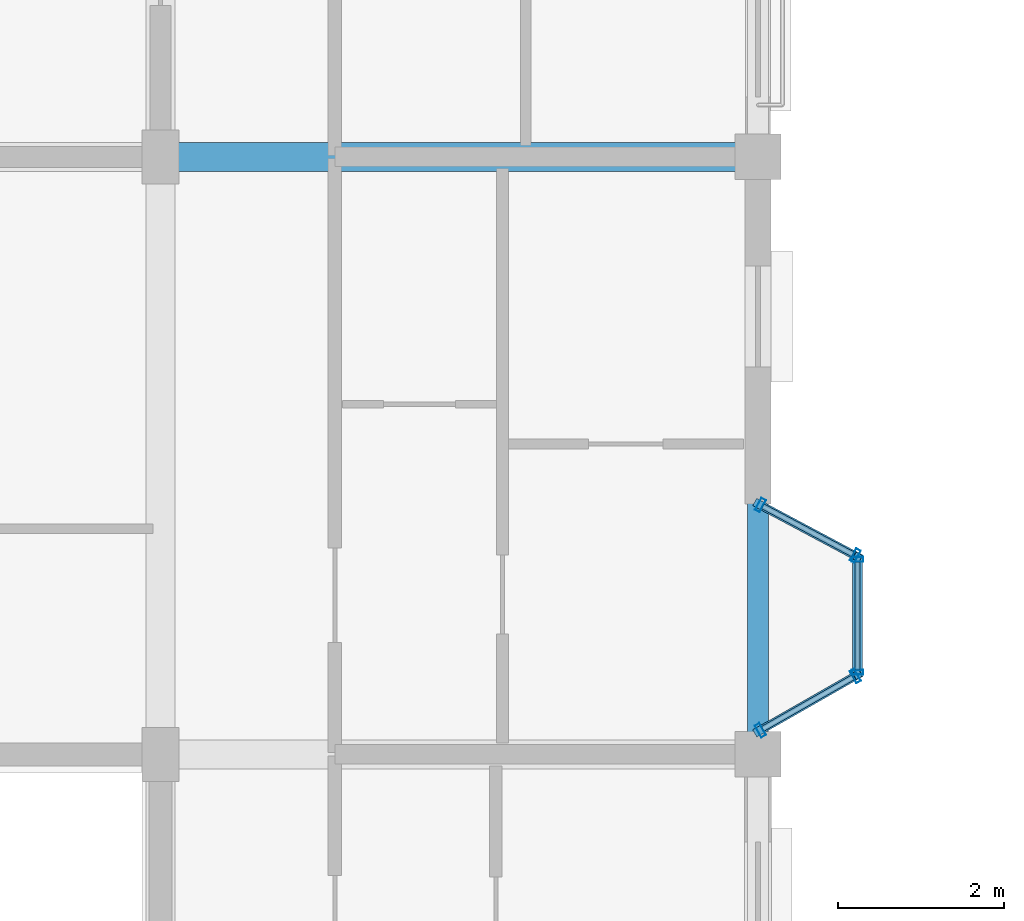
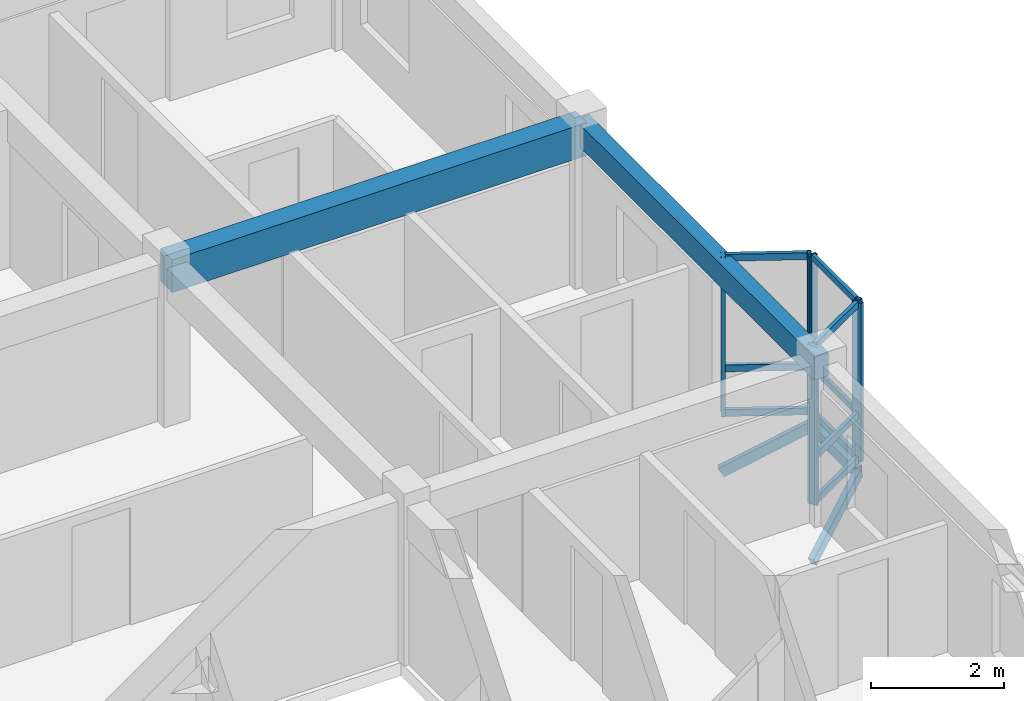
# One storey, part 19 of 75: 18 members, 2 beams, 3 elements without a shape of their own.
"""IFC4 building model written with IfcOpenShell, lengths in metres."""

from ifc_helpers import new_model, si_unit, direction, frame, origin, origin_2d, place, context, subcontext, project, spatial, rectangle, hollow_rectangle, extrude, material, layer, layer_set, material_profile, profile_set, type_object, element, aggregate, save


model = new_model("IFC4")

# Units and contexts
model_context = context("Model", 3, precision=1e-05, world=origin(), true_north=direction((0.0, 1.0)))
body_context = subcontext(model_context, "Body", "Model", "MODEL_VIEW")
ifc_project = project(units=[si_unit("LENGTHUNIT", "METRE"), si_unit("AREAUNIT", "SQUARE_METRE"), si_unit("VOLUMEUNIT", "CUBIC_METRE"), si_unit("PLANEANGLEUNIT", "RADIAN"), si_unit("MASSUNIT", "GRAM", prefix="KILO"), si_unit("THERMODYNAMICTEMPERATUREUNIT", "KELVIN"), si_unit("POWERUNIT", "WATT")], contexts=[model_context])

# Site, building, storey
site_placement = place(None, origin())
site = spatial("IfcSite", under=ifc_project, at=site_placement, CompositionType="ELEMENT")
building_placement = place(site_placement, origin())
building = spatial("IfcBuilding", under=site, at=building_placement, Name="Tavuni Mirador Residences", CompositionType="ELEMENT")
storey_placement = place(building_placement, frame((0.0, 0.0, 20.25)))
storey = spatial("IfcBuildingStorey", under=building, at=storey_placement, Name="L06", CompositionType="ELEMENT", Elevation=20.25)

# Beams
ifc_material_1 = material(Name="Precast concrete C40/50", Category="concrete")
ifc_material_profile_1 = material_profile(ifc_material_1, rectangle(XDim=0.35009765625, YDim=0.60009765625, at=origin_2d()), Name="PC 350x600", Category="concrete")
ifc_profile_set_1 = profile_set([ifc_material_profile_1], Name="Precast concrete C40/50")
beam_type_1 = type_object("IfcBeamType", Name="BT-B600", PredefinedType="BEAM", material=ifc_profile_set_1)
beam_1_placement = place(storey_placement, frame((18.0, 86.39990234375, 2.610107421875), z_axis=(1.0, 0.0, 0.0), x_axis=(0.0, 1.0, 0.0)))
element("IfcBeam", 1, at=beam_1_placement, inside=storey, type_object=beam_type_1, Name="BMX-BLK-B-L06-02-03", PredefinedType="BEAM", context=body_context, shape_type="SweptSolid", body=[
    extrude(rectangle(XDim=0.35009765625, YDim=0.60009765625, at=origin_2d()), origin(), (0.0, 0.0, 1.0), 7.199951171875),
])
ifc_material_profile_2 = material_profile(ifc_material_1, rectangle(XDim=0.25, YDim=0.419921875, at=origin_2d()), Name="PC 250x420", Category="concrete")
ifc_profile_set_2 = profile_set([ifc_material_profile_2], Name="Precast concrete C40/50")
beam_type_2 = type_object("IfcBeamType", Name="BT-SP420", PredefinedType="SPANDREL", material=ifc_profile_set_2)
beam_2_placement = place(storey_placement, frame((25.199951171875, 79.199951171875, 2.699951171875), z_axis=(0.0, 1.0, 0.0), x_axis=(-1.0, 0.0, 0.0)))
element("IfcBeam", 2, at=beam_2_placement, inside=storey, type_object=beam_type_2, Name="BMY-BLK-B-L06-03-02", PredefinedType="SPANDREL", context=body_context, shape_type="SweptSolid", body=[
    extrude(rectangle(XDim=0.25, YDim=0.419921875, at=origin_2d()), origin(), (0.0, 0.0, 1.0), 7.199951171875),
])

# Curtain wall, members
ifc_material_2 = material(Name="Anodised aluminium", Category="aluminium")
ifc_layer_1 = layer(ifc_material_2, 0.1650390625, Name="Anodised aluminium", Category="aluminium")
ifc_layer_set_1 = layer_set([ifc_layer_1], Name="Anodised aluminium")
curtain_wall_type_1 = type_object("IfcCurtainWallType", Name="CWT-MIR-A", PredefinedType="NOTDEFINED", material=ifc_layer_set_1)
curtain_wall_1_placement = place(storey_placement, origin())
curtain_wall_1 = element("IfcCurtainWall", 3, at=curtain_wall_1_placement, inside=storey, type_object=curtain_wall_type_1, Name="CW-MIR-B-E2-L06-MF", PredefinedType="NOTDEFINED")
ifc_material_profile_3 = material_profile(ifc_material_2, hollow_rectangle(XDim=0.06005859375, YDim=0.139892578125, WallThickness=0.00390625, at=origin_2d()), Name="ALU 60x140x4.0", Category="aluminium")
ifc_profile_set_3 = profile_set([ifc_material_profile_3], Name="Anodised aluminium")
member_type_1 = type_object("IfcMemberType", Name="CWM-140", PredefinedType="MULLION", material=ifc_profile_set_3)
member_1_placement = place(storey_placement, frame((26.39990234375, 80.18994140625, 0.0), z_axis=(0.0, 0.0, 1.0), x_axis=(0.0, 1.0, 0.0)))
member_1 = element("IfcMember", 4, at=member_1_placement, type_object=member_type_1, Name="CW-01 mullion 1", PredefinedType="MULLION", context=body_context, shape_type="SweptSolid", body=[
    extrude(hollow_rectangle(XDim=0.06005859375, YDim=0.139892578125, WallThickness=0.00390625, at=origin_2d()), origin(), (0.0, 0.0, 1.0), 2.909912109375),
])
member_2_placement = place(storey_placement, frame((26.39990234375, 81.550048828125, 0.0), z_axis=(0.0, 0.0, 1.0), x_axis=(0.0, 1.0, 0.0)))
member_2 = element("IfcMember", 5, at=member_2_placement, type_object=member_type_1, Name="CW-01 mullion 2", PredefinedType="MULLION", context=body_context, shape_type="SweptSolid", body=[
    extrude(hollow_rectangle(XDim=0.06005859375, YDim=0.139892578125, WallThickness=0.00390625, at=origin_2d()), origin(), (0.0, 0.0, 1.0), 2.909912109375),
])

ifc_layer_2 = layer(ifc_material_2, 0.159912109375, Name="Anodised aluminium", Category="aluminium")
ifc_layer_set_2 = layer_set([ifc_layer_2], Name="Anodised aluminium")
curtain_wall_type_2 = type_object("IfcCurtainWallType", Name="CWT-MIR-D", PredefinedType="NOTDEFINED", material=ifc_layer_set_2)
curtain_wall_2_placement = place(storey_placement, origin())
curtain_wall_2 = element("IfcCurtainWall", 6, at=curtain_wall_2_placement, inside=storey, type_object=curtain_wall_type_2, Name="CW-MIR-B-E2-L06-M1", PredefinedType="NOTDEFINED")
ifc_material_profile_4 = material_profile(ifc_material_2, hollow_rectangle(XDim=0.06494140625, YDim=0.1650390625, WallThickness=0.00439453125, at=origin_2d()), Name="ALU 65x165x4.5", Category="aluminium")
ifc_profile_set_4 = profile_set([ifc_material_profile_4], Name="Anodised aluminium")
member_type_2 = type_object("IfcMemberType", Name="CWM-165", PredefinedType="MULLION", material=ifc_profile_set_4)
member_3_placement = place(storey_placement, frame((25.228271484375, 79.4912109375, 0.0), z_axis=(0.0, 0.0, 1.0), x_axis=(0.868465738194, 0.495749192217, 0.0)))
member_3 = element("IfcMember", 7, at=member_3_placement, type_object=member_type_2, Name="CW-04 mullion 1", PredefinedType="MULLION", context=body_context, shape_type="SweptSolid", body=[
    extrude(hollow_rectangle(XDim=0.06494140625, YDim=0.1650390625, WallThickness=0.00439453125, at=origin_2d()), origin(), (0.0, 0.0, 1.0), 2.909912109375),
])
member_4_placement = place(storey_placement, frame((26.371826171875, 80.143798828125, 0.0), z_axis=(0.0, 0.0, 1.0), x_axis=(0.868465738194, 0.495749192217, 0.0)))
member_4 = element("IfcMember", 8, at=member_4_placement, type_object=member_type_2, Name="CW-04 mullion 2", PredefinedType="MULLION", context=body_context, shape_type="SweptSolid", body=[
    extrude(hollow_rectangle(XDim=0.06494140625, YDim=0.1650390625, WallThickness=0.00439453125, at=origin_2d()), origin(), (0.0, 0.0, 1.0), 2.909912109375),
])

ifc_layer_3 = layer(ifc_material_2, 0.14990234375, Name="Anodised aluminium", Category="aluminium")
ifc_layer_set_3 = layer_set([ifc_layer_3], Name="Anodised aluminium")
curtain_wall_type_3 = type_object("IfcCurtainWallType", Name="CWT-MIR-B", PredefinedType="NOTDEFINED", material=ifc_layer_set_3)
curtain_wall_3_placement = place(storey_placement, origin())
curtain_wall_3 = element("IfcCurtainWall", 9, at=curtain_wall_3_placement, inside=storey, type_object=curtain_wall_type_3, Name="CW-MIR-B-E2-L06-M2", PredefinedType="NOTDEFINED")
member_5_placement = place(storey_placement, frame((26.371337890625, 81.59521484375, 0.0), z_axis=(0.0, 0.0, 1.0), x_axis=(-0.882352941175, 0.470588235296, 0.0)))
member_5 = element("IfcMember", 10, at=member_5_placement, type_object=member_type_2, Name="CW-02 mullion 1", PredefinedType="MULLION", context=body_context, shape_type="SweptSolid", body=[
    extrude(hollow_rectangle(XDim=0.06494140625, YDim=0.1650390625, WallThickness=0.00439453125, at=origin_2d()), origin(), (0.0, 0.0, 1.0), 2.909912109375),
])
member_6_placement = place(storey_placement, frame((25.228759765625, 82.20458984375, 0.0), z_axis=(0.0, 0.0, 1.0), x_axis=(-0.882352941175, 0.470588235296, 0.0)))
member_6 = element("IfcMember", 11, at=member_6_placement, type_object=member_type_2, Name="CW-02 mullion 2", PredefinedType="MULLION", context=body_context, shape_type="SweptSolid", body=[
    extrude(hollow_rectangle(XDim=0.06494140625, YDim=0.1650390625, WallThickness=0.00439453125, at=origin_2d()), origin(), (0.0, 0.0, 1.0), 2.909912109375),
])

# Member
ifc_material_profile_5 = material_profile(ifc_material_2, hollow_rectangle(XDim=0.06005859375, YDim=0.110107421875, WallThickness=0.00390625, at=origin_2d()), Name="ALU 60x110x4.0", Category="aluminium")
ifc_profile_set_5 = profile_set([ifc_material_profile_5], Name="Anodised aluminium")
member_type_3 = type_object("IfcMemberType", Name="CWT-110", PredefinedType="USERDEFINED", material=ifc_profile_set_5)
member_7_placement = place(storey_placement, frame((26.39990234375, 80.219970703125, 0.030029296875), z_axis=(0.0, 1.0, 0.0), x_axis=(-1.0, 0.0, 0.0)))
member_7 = element("IfcMember", 12, at=member_7_placement, type_object=member_type_3, Name="CW-01 transom 1.1", ObjectType="TRANSOM", PredefinedType="USERDEFINED", context=body_context, shape_type="SweptSolid", body=[
    extrude(hollow_rectangle(XDim=0.06005859375, YDim=0.110107421875, WallThickness=0.00390625, at=origin_2d()), origin(), (0.0, 0.0, 1.0), 1.300048828125),
])

member_8_placement = place(storey_placement, frame((26.39990234375, 80.219970703125, 0.85009765625), z_axis=(0.0, 1.0, 0.0), x_axis=(-1.0, 0.0, 0.0)))
member_8 = element("IfcMember", 13, at=member_8_placement, type_object=member_type_3, Name="CW-01 transom 1.2", ObjectType="TRANSOM", PredefinedType="USERDEFINED", context=body_context, shape_type="SweptSolid", body=[
    extrude(hollow_rectangle(XDim=0.06005859375, YDim=0.110107421875, WallThickness=0.00390625, at=origin_2d()), origin(), (0.0, 0.0, 1.0), 1.300048828125),
])

member_9_placement = place(storey_placement, frame((26.39990234375, 80.219970703125, 2.8798828125), z_axis=(0.0, 1.0, 0.0), x_axis=(-1.0, 0.0, 0.0)))
member_9 = element("IfcMember", 14, at=member_9_placement, type_object=member_type_3, Name="CW-01 transom 1.3", ObjectType="TRANSOM", PredefinedType="USERDEFINED", context=body_context, shape_type="SweptSolid", body=[
    extrude(hollow_rectangle(XDim=0.06005859375, YDim=0.110107421875, WallThickness=0.00390625, at=origin_2d()), origin(), (0.0, 0.0, 1.0), 1.300048828125),
])

aggregate(curtain_wall_1, [member_1, member_2, member_7, member_8, member_9])

ifc_material_profile_6 = material_profile(ifc_material_2, hollow_rectangle(XDim=0.06494140625, YDim=0.125, WallThickness=0.00439453125, at=origin_2d()), Name="ALU 65x125x4.5", Category="aluminium")
ifc_profile_set_6 = profile_set([ifc_material_profile_6], Name="Anodised aluminium")
member_type_4 = type_object("IfcMemberType", Name="CWT-125", PredefinedType="USERDEFINED", material=ifc_profile_set_6)
member_10_placement = place(storey_placement, frame((25.25634765625, 79.50732421875, 0.032470703125), z_axis=(0.868543055203, 0.495613721822, 0.0), x_axis=(-0.495613721822, 0.868543055203, 0.0)))
member_10 = element("IfcMember", 15, at=member_10_placement, type_object=member_type_4, Name="CW-04 transom 1.1", ObjectType="TRANSOM", PredefinedType="USERDEFINED", context=body_context, shape_type="SweptSolid", body=[
    extrude(hollow_rectangle(XDim=0.06494140625, YDim=0.125, WallThickness=0.00439453125, at=origin_2d()), origin(), (0.0, 0.0, 1.0), 1.251708984375),
])

member_11_placement = place(storey_placement, frame((25.25634765625, 79.50732421875, 0.85009765625), z_axis=(0.868543055203, 0.495613721822, 0.0), x_axis=(-0.495613721822, 0.868543055203, 0.0)))
member_11 = element("IfcMember", 16, at=member_11_placement, type_object=member_type_4, Name="CW-04 transom 1.2", ObjectType="TRANSOM", PredefinedType="USERDEFINED", context=body_context, shape_type="SweptSolid", body=[
    extrude(hollow_rectangle(XDim=0.06494140625, YDim=0.125, WallThickness=0.00439453125, at=origin_2d()), origin(), (0.0, 0.0, 1.0), 1.251708984375),
])

member_12_placement = place(storey_placement, frame((25.25634765625, 79.50732421875, 2.87744140625), z_axis=(0.868543055203, 0.495613721822, 0.0), x_axis=(-0.495613721822, 0.868543055203, 0.0)))
member_12 = element("IfcMember", 17, at=member_12_placement, type_object=member_type_4, Name="CW-04 transom 1.3", ObjectType="TRANSOM", PredefinedType="USERDEFINED", context=body_context, shape_type="SweptSolid", body=[
    extrude(hollow_rectangle(XDim=0.06494140625, YDim=0.125, WallThickness=0.00439453125, at=origin_2d()), origin(), (0.0, 0.0, 1.0), 1.251708984375),
])

aggregate(curtain_wall_2, [member_3, member_4, member_10, member_11, member_12])

member_13_placement = place(storey_placement, frame((26.342529296875, 81.610595703125, 0.032470703125), z_axis=(-0.882325465843, 0.470639747922, 0.0), x_axis=(-0.470639747922, -0.882325465843, 0.0)))
member_13 = element("IfcMember", 18, at=member_13_placement, type_object=member_type_4, Name="CW-02 transom 1.1", ObjectType="TRANSOM", PredefinedType="USERDEFINED", context=body_context, shape_type="SweptSolid", body=[
    extrude(hollow_rectangle(XDim=0.06494140625, YDim=0.125, WallThickness=0.00439453125, at=origin_2d()), origin(), (0.0, 0.0, 1.0), 1.22998046875),
])

member_14_placement = place(storey_placement, frame((26.342529296875, 81.610595703125, 0.85009765625), z_axis=(-0.882325465843, 0.470639747922, 0.0), x_axis=(-0.470639747922, -0.882325465843, 0.0)))
member_14 = element("IfcMember", 19, at=member_14_placement, type_object=member_type_4, Name="CW-02 transom 1.2", ObjectType="TRANSOM", PredefinedType="USERDEFINED", context=body_context, shape_type="SweptSolid", body=[
    extrude(hollow_rectangle(XDim=0.06494140625, YDim=0.125, WallThickness=0.00439453125, at=origin_2d()), origin(), (0.0, 0.0, 1.0), 1.22998046875),
])

member_15_placement = place(storey_placement, frame((26.342529296875, 81.610595703125, 2.87744140625), z_axis=(-0.882325465843, 0.470639747922, 0.0), x_axis=(-0.470639747922, -0.882325465843, 0.0)))
member_15 = element("IfcMember", 20, at=member_15_placement, type_object=member_type_4, Name="CW-02 transom 1.3", ObjectType="TRANSOM", PredefinedType="USERDEFINED", context=body_context, shape_type="SweptSolid", body=[
    extrude(hollow_rectangle(XDim=0.06494140625, YDim=0.125, WallThickness=0.00439453125, at=origin_2d()), origin(), (0.0, 0.0, 1.0), 1.22998046875),
])

aggregate(curtain_wall_3, [member_5, member_6, member_13, member_14, member_15])

# Members
ifc_material_3 = material(Name="Structural steel S355", Category="steel")
ifc_material_profile_7 = material_profile(ifc_material_3, hollow_rectangle(XDim=0.10009765625, YDim=0.179931640625, WallThickness=0.008056640625, at=origin_2d()), Name="RHS 180x100x8.0", Category="steel")
ifc_profile_set_7 = profile_set([ifc_material_profile_7], Name="Structural steel S355")
member_type_5 = type_object("IfcMemberType", Name="MT-BR-RHS180", PredefinedType="BRACE", material=ifc_profile_set_7)
member_16_placement = place(storey_placement, frame((25.199951171875, 79.47509765625, -1.050048828125), z_axis=(0.749231067094, 0.427587618148, 0.505788134408), x_axis=(-0.49566311428, 0.868514868694, 0.0)))
element("IfcMember", 21, at=member_16_placement, inside=storey, type_object=member_type_5, Name="MBRK-MIR-B-E2-L06-1", PredefinedType="BRACE", context=body_context, shape_type="SweptSolid", body=[
    extrude(hollow_rectangle(XDim=0.10009765625, YDim=0.179931640625, WallThickness=0.008056640625, at=origin_2d()), origin(), (0.0, 0.0, 1.0), 1.6015625),
])
member_17_placement = place(storey_placement, frame((25.199951171875, 82.219970703125, -1.050048828125), z_axis=(0.758076235047, -0.404255912931, 0.511759297637), x_axis=(0.47054164445, 0.882377788047, 0.0)))
element("IfcMember", 22, at=member_17_placement, inside=storey, type_object=member_type_5, Name="MBRK-MIR-B-E2-L06-2", PredefinedType="BRACE", context=body_context, shape_type="SweptSolid", body=[
    extrude(hollow_rectangle(XDim=0.10009765625, YDim=0.179931640625, WallThickness=0.008056640625, at=origin_2d()), origin(), (0.0, 0.0, 1.0), 1.5830078125),
])
ifc_material_profile_8 = material_profile(ifc_material_3, hollow_rectangle(XDim=0.1201171875, YDim=0.199951171875, WallThickness=0.010009765625, at=origin_2d()), Name="RHS 200x120x10.0", Category="steel")
ifc_profile_set_8 = profile_set([ifc_material_profile_8], Name="Structural steel S355")
member_type_6 = type_object("IfcMemberType", Name="MT-ST-RHS200", PredefinedType="STRUT", material=ifc_profile_set_8)
member_18_placement = place(storey_placement, frame((26.39990234375, 80.159912109375, -0.239990234375), z_axis=(0.0, 1.0, 0.0), x_axis=(-1.0, 0.0, 0.0)))
element("IfcMember", 23, at=member_18_placement, inside=storey, type_object=member_type_6, Name="MRIM-MIR-B-E2-L06", PredefinedType="STRUT", context=body_context, shape_type="SweptSolid", body=[
    extrude(hollow_rectangle(XDim=0.1201171875, YDim=0.199951171875, WallThickness=0.010009765625, at=origin_2d()), origin(), (0.0, 0.0, 1.0), 1.420166015625),
])

save(model, "model.ifc")
